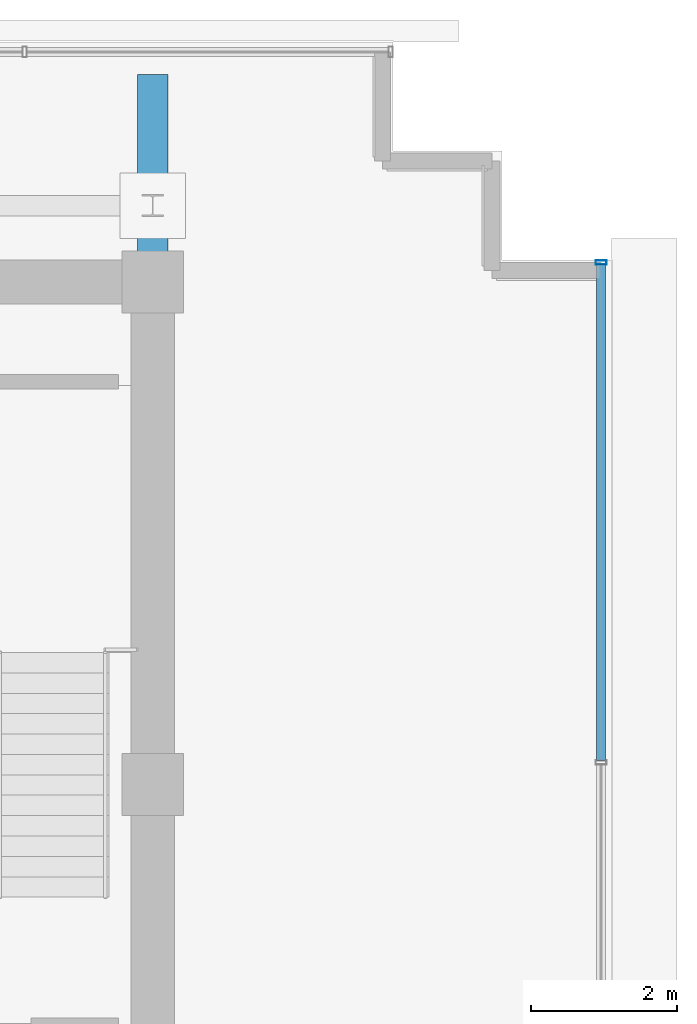
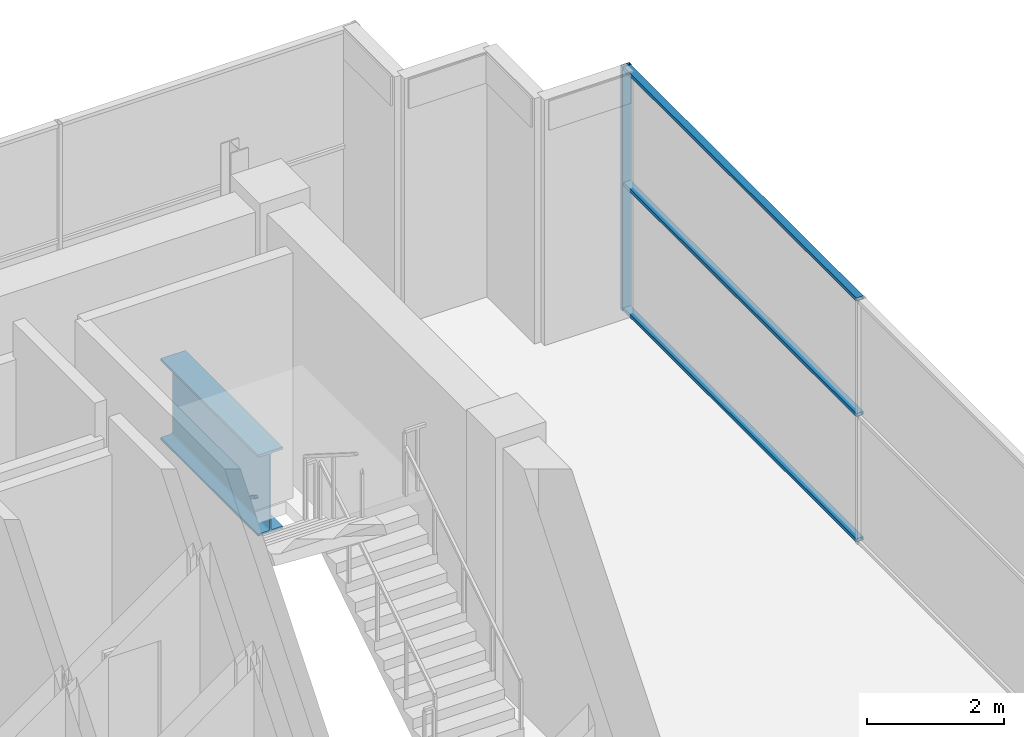
# One storey, part 18 of 28: 4 members, 1 beam, 1 element without a shape of its own.
"""IFC4 building model written with IfcOpenShell, lengths in metres."""

from ifc_helpers import new_model, si_unit, direction, frame, origin, origin_2d, place, context, subcontext, project, spatial, hollow_rectangle, i_section, extrude, source, transform, mapped, material, layer, layer_set, material_profile, profile_set, type_object, element, aggregate, save


model = new_model("IFC4")

# Units and contexts
model_context = context("Model", 3, precision=1e-05, world=origin(), true_north=direction((0.0, 1.0)))
body_context = subcontext(model_context, "Body", "Model", "MODEL_VIEW")
ifc_project = project(units=[si_unit("LENGTHUNIT", "METRE"), si_unit("AREAUNIT", "SQUARE_METRE"), si_unit("VOLUMEUNIT", "CUBIC_METRE"), si_unit("PLANEANGLEUNIT", "RADIAN"), si_unit("MASSUNIT", "GRAM", prefix="KILO")], contexts=[model_context])

# Site, building, storey
site_placement = place(None, origin())
site = spatial("IfcSite", under=ifc_project, at=site_placement, CompositionType="ELEMENT")
building_placement = place(site_placement, origin())
building = spatial("IfcBuilding", under=site, at=building_placement, Name="Zarnakvel Exchange Tower", CompositionType="ELEMENT")
storey_placement = place(building_placement, frame((0.0, 0.0, 271.60009765625)))
storey = spatial("IfcBuildingStorey", under=building, at=storey_placement, Name="Crown L77", CompositionType="ELEMENT", Elevation=271.60009765625)

# Beam
ifc_material_1 = material(Name="Steel S460", Category="steel")
ifc_material_profile_1 = material_profile(ifc_material_1, i_section(OverallWidth=0.419921875, OverallDepth=1.449951171875, WebThickness=0.02392578125, FlangeThickness=0.0400390625, FilletRadius=0.030029296875, at=origin_2d()))
ifc_profile_set_1 = profile_set([ifc_material_profile_1], Name="Steel S460")
beam_type = type_object("IfcBeamType", Name="TG-01", PredefinedType="BEAM", material=ifc_profile_set_1)
beam_placement = place(storey_placement, frame((14.39990234375, 13.5, -0.945068359375), z_axis=(0.0, 1.0, 0.0), x_axis=(-1.0, 0.0, 0.0)))
element("IfcBeam", 1, at=beam_placement, inside=storey, type_object=beam_type, Name="Crown L77 Setback N-S Transfer Girder CN-9", PredefinedType="BEAM", context=body_context, shape_type="SweptSolid", body=[
    extrude(i_section(OverallWidth=0.419921875, OverallDepth=1.449951171875, WebThickness=0.02392578125, FlangeThickness=0.0400390625, FilletRadius=0.030029296875, at=origin_2d()), origin(), (0.0, 0.0, 1.0), 2.85009765625),
])

# Curtain wall, members
ifc_material_2 = material(Name="Architectural Bronze Anodised Aluminium", Category="aluminium")
ifc_layer = layer(ifc_material_2, 0.14990234375)
ifc_layer_set = layer_set([ifc_layer], Name="Architectural Bronze Anodised Aluminium")
curtain_wall_type = type_object("IfcCurtainWallType", Name="CW-07", PredefinedType="NOTDEFINED", material=ifc_layer_set)
curtain_wall_placement = place(storey_placement, origin())
curtain_wall = element("IfcCurtainWall", 2, at=curtain_wall_placement, inside=storey, type_object=curtain_wall_type, Name="Crown L77 Curtain Wall CW-Crown L77-E (CW-07)", PredefinedType="NOTDEFINED")
ifc_material_profile_2 = material_profile(ifc_material_2, hollow_rectangle(XDim=0.14990234375, YDim=0.06005859375, WallThickness=0.00390625, at=origin_2d()))
ifc_profile_set_2 = profile_set([ifc_material_profile_2], Name="Architectural Bronze Anodised Aluminium")
member_type_1 = type_object("IfcMemberType", Name="CWM-07", PredefinedType="MULLION", material=ifc_profile_set_2)
shared_shape_1 = source(origin(), body_context, "Body", "SweptSolid", [
    extrude(hollow_rectangle(XDim=0.14990234375, YDim=0.06005859375, WallThickness=0.00390625, at=origin_2d()), origin(), (0.0, 0.0, 1.0), 4.35986328125),
])
member_1_placement = place(storey_placement, frame((20.56005859375, 13.77001953125, 0.0), z_axis=(0.0, 0.0, 1.0), x_axis=(-1.0, 0.0, 0.0)))
member_1 = element("IfcMember", 3, at=member_1_placement, type_object=member_type_1, Name="CW-07 mullion 5", PredefinedType="MULLION", context=body_context, shape_type="MappedRepresentation", body=[
    mapped(shared_shape_1, transform((0.0, 0.0, 0.0), x_axis=(1.0, 0.0, 0.0), y_axis=(0.0, 1.0, 0.0), z_axis=(0.0, 0.0, 1.0), scale=1.0)),
])
ifc_material_profile_3 = material_profile(ifc_material_2, hollow_rectangle(XDim=0.1201171875, YDim=0.06005859375, WallThickness=0.00390625, at=origin_2d()))
ifc_profile_set_3 = profile_set([ifc_material_profile_3], Name="Architectural Bronze Anodised Aluminium")
member_type_2 = type_object("IfcMemberType", Name="CWT-07", PredefinedType="USERDEFINED", material=ifc_profile_set_3)
shared_shape_2 = source(origin(), body_context, "Body", "SweptSolid", [
    extrude(hollow_rectangle(XDim=0.1201171875, YDim=0.06005859375, WallThickness=0.00390625, at=origin_2d()), origin(), (0.0, 0.0, 1.0), 6.81005859375),
])
member_2_placement = place(storey_placement, frame((20.56005859375, 6.929931640625, 0.02978515625), z_axis=(0.0, 1.0, 0.0), x_axis=(-1.0, 0.0, 0.0)))
member_2 = element("IfcMember", 4, at=member_2_placement, type_object=member_type_2, Name="CW-07 transom 4.1", ObjectType="TRANSOM", PredefinedType="USERDEFINED", context=body_context, shape_type="MappedRepresentation", body=[
    mapped(shared_shape_2, transform((0.0, 0.0, 0.0), x_axis=(1.0, 0.0, 0.0), y_axis=(0.0, 1.0, 0.0), z_axis=(0.0, 0.0, 1.0), scale=1.0)),
])
member_3_placement = place(storey_placement, frame((20.56005859375, 6.929931640625, 2.26708984375), z_axis=(0.0, 1.0, 0.0), x_axis=(-1.0, 0.0, 0.0)))
member_3 = element("IfcMember", 5, at=member_3_placement, type_object=member_type_2, Name="CW-07 transom 4.2", ObjectType="TRANSOM", PredefinedType="USERDEFINED", context=body_context, shape_type="MappedRepresentation", body=[
    mapped(shared_shape_2, transform((0.0, 0.0, 0.0), x_axis=(1.0, 0.0, 0.0), y_axis=(0.0, 1.0, 0.0), z_axis=(0.0, 0.0, 1.0), scale=1.0)),
])
member_4_placement = place(storey_placement, frame((20.56005859375, 6.929931640625, 4.329833984375), z_axis=(0.0, 1.0, 0.0), x_axis=(-1.0, 0.0, 0.0)))
member_4 = element("IfcMember", 6, at=member_4_placement, type_object=member_type_2, Name="CW-07 transom 4.3", ObjectType="TRANSOM", PredefinedType="USERDEFINED", context=body_context, shape_type="MappedRepresentation", body=[
    mapped(shared_shape_2, transform((0.0, 0.0, 0.0), x_axis=(1.0, 0.0, 0.0), y_axis=(0.0, 1.0, 0.0), z_axis=(0.0, 0.0, 1.0), scale=1.0)),
])
aggregate(curtain_wall, [member_1, member_2, member_3, member_4])

save(model, "model.ifc")
